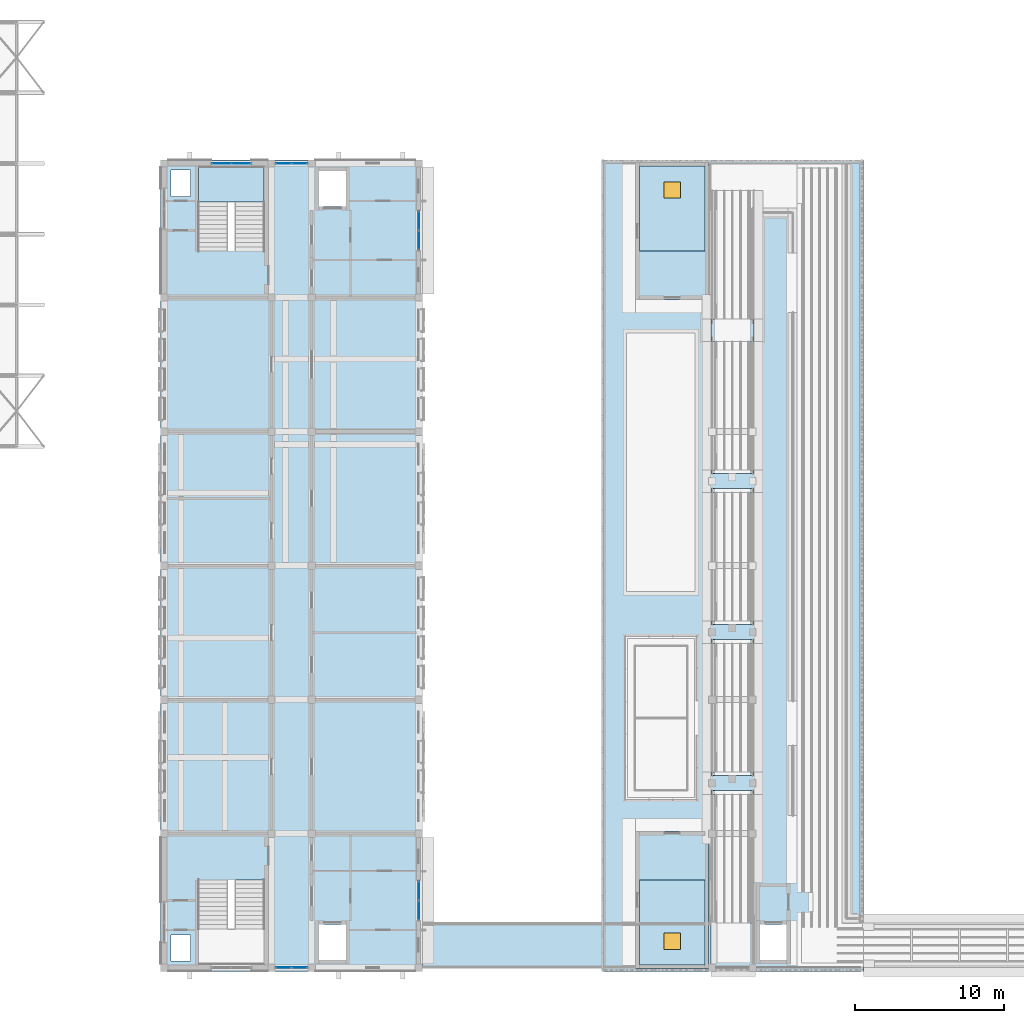
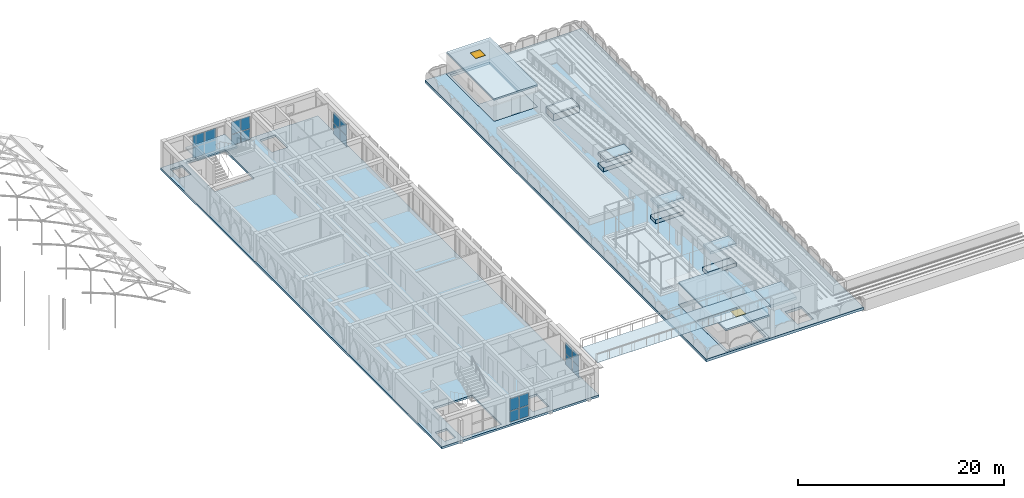
# One storey, part 27 of 50: 20 plates, 16 slabs, 2 windows, 2 openings, 7 elements without a shape of their own.
"""IFC4 building model written with IfcOpenShell, lengths in metres."""

from ifc_helpers import new_model, si_unit, direction, frame, origin, origin_2d, place, context, subcontext, project, spatial, polyline, rectangle, outline, extrude, material, layer, layer_set, type_object, element, fill, aggregate, save


model = new_model("IFC4")

# Units and contexts
model_context = context("Model", 3, precision=1e-05, world=origin(), true_north=direction((0.0, 1.0)))
body_context = subcontext(model_context, "Body", "Model", "MODEL_VIEW")
ifc_project = project(units=[si_unit("LENGTHUNIT", "METRE"), si_unit("AREAUNIT", "SQUARE_METRE"), si_unit("VOLUMEUNIT", "CUBIC_METRE"), si_unit("PLANEANGLEUNIT", "RADIAN"), si_unit("MASSUNIT", "GRAM", prefix="KILO")], contexts=[model_context])

# Site, building, storey
site_placement = place(None, origin())
site = spatial("IfcSite", under=ifc_project, at=site_placement, CompositionType="ELEMENT")
building_placement = place(site_placement, origin())
building = spatial("IfcBuilding", under=site, at=building_placement, Name="Elbe Cascade School", CompositionType="ELEMENT")
storey_placement = place(building_placement, frame((0.0, 0.0, 15.300048828125)))
storey = spatial("IfcBuildingStorey", under=building, at=storey_placement, Name="L04", CompositionType="ELEMENT", Elevation=15.300048828125)

# Stair, slab
ifc_material_1 = material(Name="Concrete C30/37", Category="concrete")
stair_type = type_object("IfcStairType", Name="Bar stair RC 150", PredefinedType="HALF_TURN_STAIR", material=ifc_material_1)
stair_placement = place(storey_placement, origin())
stair = element("IfcStair", 1, at=stair_placement, inside=storey, type_object=stair_type, Name="Stair A4.N", PredefinedType="HALF_TURN_STAIR")
ifc_material_2 = material(Name="Concrete C30/37", Category="concrete")
ifc_layer_1 = layer(ifc_material_2, 0.199951171875)
ifc_layer_set_1 = layer_set([ifc_layer_1], Name="Concrete C30/37")
slab_type_1 = type_object("IfcSlabType", Name="Bar stair landing RC 200", PredefinedType="LANDING", material=ifc_layer_set_1)
slab_1_placement = place(storey_placement, frame((0.0, 0.0, 1.599853515625)))
slab_1 = element("IfcSlab", 2, at=slab_1_placement, type_object=slab_type_1, Name="ST3 landing 1", PredefinedType="LANDING", context=body_context, shape_type="SweptSolid", body=[
    extrude(outline(polyline([(71.300048828125, 57.39990234375), (75.699951171875, 57.39990234375), (75.699951171875, 59.820068359375), (71.300048828125, 59.820068359375), (71.300048828125, 57.39990234375)])), origin(), (0.0, 0.0, 1.0), 0.2001953125),
])
aggregate(stair, [slab_1])

# Curtain wall, plates
ifc_material_3 = material(Name="Aluminium frame with double glazing, bronze anodised", Category="aluminium")
ifc_layer_2 = layer(ifc_material_3, 0.159912109375)
ifc_layer_set_2 = layer_set([ifc_layer_2], Name="Aluminium frame with double glazing, bronze anodised")
curtain_wall_type = type_object("IfcCurtainWallType", Name="Bars envelope Curtain wall, aluminium, bronze anodised, storey-high slot", PredefinedType="NOTDEFINED", material=ifc_layer_set_2)
curtain_wall_1_placement = place(storey_placement, origin())
curtain_wall_1 = element("IfcCurtainWall", 3, at=curtain_wall_1_placement, inside=storey, type_object=curtain_wall_type, Name="Curtain wall CW4 A.L04.e1", PredefinedType="NOTDEFINED")
ifc_material_4 = material(Name="Glass - double glazed low-E", Category="glass")
ifc_layer_3 = layer(ifc_material_4, 0.028076171875)
ifc_layer_set_3 = layer_set([ifc_layer_3], Name="Glass - double glazed low-E")
plate_type = type_object("IfcPlateType", Name="Bars envelope Curtain wall glazing panel 28 mm, double glazed, storey-high slot", PredefinedType="CURTAIN_PANEL", material=ifc_layer_set_3)
plate_1_placement = place(storey_placement, frame((86.10009765625, 11.159912109375, 0.06005859375), z_axis=(0.0, 0.0, 1.0), x_axis=(0.0, -1.0, 0.0)))
plate_1 = element("IfcPlate", 4, at=plate_1_placement, type_object=plate_type, Name="CW4 panel 1.1", PredefinedType="CURTAIN_PANEL", context=body_context, shape_type="SweptSolid", body=[
    extrude(rectangle(XDim=1.260009765625, YDim=0.028076171875, at=origin_2d()), origin(), (0.0, 0.0, 1.0), 1.260009765625),
])
plate_2_placement = place(storey_placement, frame((86.10009765625, 11.159912109375, 1.3798828125), z_axis=(0.0, 0.0, 1.0), x_axis=(0.0, -1.0, 0.0)))
plate_2 = element("IfcPlate", 5, at=plate_2_placement, type_object=plate_type, Name="CW4 panel 1.2", PredefinedType="CURTAIN_PANEL", context=body_context, shape_type="SweptSolid", body=[
    extrude(rectangle(XDim=1.260009765625, YDim=0.028076171875, at=origin_2d()), origin(), (0.0, 0.0, 1.0), 1.31005859375),
])
plate_3_placement = place(storey_placement, frame((86.10009765625, 9.840087890625, 0.06005859375), z_axis=(0.0, 0.0, 1.0), x_axis=(0.0, -1.0, 0.0)))
plate_3 = element("IfcPlate", 6, at=plate_3_placement, type_object=plate_type, Name="CW4 panel 2.1", PredefinedType="CURTAIN_PANEL", context=body_context, shape_type="SweptSolid", body=[
    extrude(rectangle(XDim=1.260009765625, YDim=0.028076171875, at=origin_2d()), origin(), (0.0, 0.0, 1.0), 1.260009765625),
])
plate_4_placement = place(storey_placement, frame((86.10009765625, 9.840087890625, 1.3798828125), z_axis=(0.0, 0.0, 1.0), x_axis=(0.0, -1.0, 0.0)))
plate_4 = element("IfcPlate", 7, at=plate_4_placement, type_object=plate_type, Name="CW4 panel 2.2", PredefinedType="CURTAIN_PANEL", context=body_context, shape_type="SweptSolid", body=[
    extrude(rectangle(XDim=1.260009765625, YDim=0.028076171875, at=origin_2d()), origin(), (0.0, 0.0, 1.0), 1.31005859375),
])
aggregate(curtain_wall_1, [plate_1, plate_2, plate_3, plate_4])

curtain_wall_2_placement = place(storey_placement, origin())
curtain_wall_2 = element("IfcCurtainWall", 8, at=curtain_wall_2_placement, inside=storey, type_object=curtain_wall_type, Name="Curtain wall CW4 A.L04.e6", PredefinedType="NOTDEFINED")
plate_5_placement = place(storey_placement, frame((86.10009765625, 56.159912109375, 0.06005859375), z_axis=(0.0, 0.0, 1.0), x_axis=(0.0, -1.0, 0.0)))
plate_5 = element("IfcPlate", 9, at=plate_5_placement, type_object=plate_type, Name="CW4 panel 1.1", PredefinedType="CURTAIN_PANEL", context=body_context, shape_type="SweptSolid", body=[
    extrude(rectangle(XDim=1.260009765625, YDim=0.028076171875, at=origin_2d()), origin(), (0.0, 0.0, 1.0), 1.260009765625),
])
plate_6_placement = place(storey_placement, frame((86.10009765625, 56.159912109375, 1.3798828125), z_axis=(0.0, 0.0, 1.0), x_axis=(0.0, -1.0, 0.0)))
plate_6 = element("IfcPlate", 10, at=plate_6_placement, type_object=plate_type, Name="CW4 panel 1.2", PredefinedType="CURTAIN_PANEL", context=body_context, shape_type="SweptSolid", body=[
    extrude(rectangle(XDim=1.260009765625, YDim=0.028076171875, at=origin_2d()), origin(), (0.0, 0.0, 1.0), 1.31005859375),
])
plate_7_placement = place(storey_placement, frame((86.10009765625, 54.840087890625, 0.06005859375), z_axis=(0.0, 0.0, 1.0), x_axis=(0.0, -1.0, 0.0)))
plate_7 = element("IfcPlate", 11, at=plate_7_placement, type_object=plate_type, Name="CW4 panel 2.1", PredefinedType="CURTAIN_PANEL", context=body_context, shape_type="SweptSolid", body=[
    extrude(rectangle(XDim=1.260009765625, YDim=0.028076171875, at=origin_2d()), origin(), (0.0, 0.0, 1.0), 1.260009765625),
])
plate_8_placement = place(storey_placement, frame((86.10009765625, 54.840087890625, 1.3798828125), z_axis=(0.0, 0.0, 1.0), x_axis=(0.0, -1.0, 0.0)))
plate_8 = element("IfcPlate", 12, at=plate_8_placement, type_object=plate_type, Name="CW4 panel 2.2", PredefinedType="CURTAIN_PANEL", context=body_context, shape_type="SweptSolid", body=[
    extrude(rectangle(XDim=1.260009765625, YDim=0.028076171875, at=origin_2d()), origin(), (0.0, 0.0, 1.0), 1.31005859375),
])
aggregate(curtain_wall_2, [plate_5, plate_6, plate_7, plate_8])

curtain_wall_3_placement = place(storey_placement, origin())
curtain_wall_3 = element("IfcCurtainWall", 13, at=curtain_wall_3_placement, inside=storey, type_object=curtain_wall_type, Name="Curtain wall CW4 A.L04.s2", PredefinedType="NOTDEFINED")
plate_9_placement = place(storey_placement, frame((78.0849609375, 6.0, 0.06005859375), z_axis=(0.0, 0.0, 1.0), x_axis=(-1.0, 0.0, 0.0)))
plate_9 = element("IfcPlate", 14, at=plate_9_placement, type_object=plate_type, Name="CW4 panel 1.1", PredefinedType="CURTAIN_PANEL", context=body_context, shape_type="SweptSolid", body=[
    extrude(rectangle(XDim=1.010009765625, YDim=0.028076171875, at=origin_2d()), origin(), (0.0, 0.0, 1.0), 1.260009765625),
])
plate_10_placement = place(storey_placement, frame((78.0849609375, 6.0, 1.3798828125), z_axis=(0.0, 0.0, 1.0), x_axis=(-1.0, 0.0, 0.0)))
plate_10 = element("IfcPlate", 15, at=plate_10_placement, type_object=plate_type, Name="CW4 panel 1.2", PredefinedType="CURTAIN_PANEL", context=body_context, shape_type="SweptSolid", body=[
    extrude(rectangle(XDim=1.010009765625, YDim=0.028076171875, at=origin_2d()), origin(), (0.0, 0.0, 1.0), 1.4599609375),
])
plate_11_placement = place(storey_placement, frame((77.014892578125, 6.0, 0.06005859375), z_axis=(0.0, 0.0, 1.0), x_axis=(-1.0, 0.0, 0.0)))
plate_11 = element("IfcPlate", 16, at=plate_11_placement, type_object=plate_type, Name="CW4 panel 2.1", PredefinedType="CURTAIN_PANEL", context=body_context, shape_type="SweptSolid", body=[
    extrude(rectangle(XDim=1.010009765625, YDim=0.028076171875, at=origin_2d()), origin(), (0.0, 0.0, 1.0), 1.260009765625),
])
plate_12_placement = place(storey_placement, frame((77.014892578125, 6.0, 1.3798828125), z_axis=(0.0, 0.0, 1.0), x_axis=(-1.0, 0.0, 0.0)))
plate_12 = element("IfcPlate", 17, at=plate_12_placement, type_object=plate_type, Name="CW4 panel 2.2", PredefinedType="CURTAIN_PANEL", context=body_context, shape_type="SweptSolid", body=[
    extrude(rectangle(XDim=1.010009765625, YDim=0.028076171875, at=origin_2d()), origin(), (0.0, 0.0, 1.0), 1.4599609375),
])
aggregate(curtain_wall_3, [plate_9, plate_10, plate_11, plate_12])

curtain_wall_4_placement = place(storey_placement, origin())
curtain_wall_4 = element("IfcCurtainWall", 18, at=curtain_wall_4_placement, inside=storey, type_object=curtain_wall_type, Name="Curtain wall CW4 A.L04.n1", PredefinedType="NOTDEFINED")
plate_13_placement = place(storey_placement, frame((72.840087890625, 60.0, 0.06005859375), z_axis=(0.0, 0.0, 1.0), x_axis=(1.0, 0.0, 0.0)))
plate_13 = element("IfcPlate", 19, at=plate_13_placement, type_object=plate_type, Name="CW4 panel 1.1", PredefinedType="CURTAIN_PANEL", context=body_context, shape_type="SweptSolid", body=[
    extrude(rectangle(XDim=1.260009765625, YDim=0.028076171875, at=origin_2d()), origin(), (0.0, 0.0, 1.0), 1.260009765625),
])
plate_14_placement = place(storey_placement, frame((72.840087890625, 60.0, 1.3798828125), z_axis=(0.0, 0.0, 1.0), x_axis=(1.0, 0.0, 0.0)))
plate_14 = element("IfcPlate", 20, at=plate_14_placement, type_object=plate_type, Name="CW4 panel 1.2", PredefinedType="CURTAIN_PANEL", context=body_context, shape_type="SweptSolid", body=[
    extrude(rectangle(XDim=1.260009765625, YDim=0.028076171875, at=origin_2d()), origin(), (0.0, 0.0, 1.0), 1.360107421875),
])
plate_15_placement = place(storey_placement, frame((74.159912109375, 60.0, 0.06005859375), z_axis=(0.0, 0.0, 1.0), x_axis=(1.0, 0.0, 0.0)))
plate_15 = element("IfcPlate", 21, at=plate_15_placement, type_object=plate_type, Name="CW4 panel 2.1", PredefinedType="CURTAIN_PANEL", context=body_context, shape_type="SweptSolid", body=[
    extrude(rectangle(XDim=1.260009765625, YDim=0.028076171875, at=origin_2d()), origin(), (0.0, 0.0, 1.0), 1.260009765625),
])
plate_16_placement = place(storey_placement, frame((74.159912109375, 60.0, 1.3798828125), z_axis=(0.0, 0.0, 1.0), x_axis=(1.0, 0.0, 0.0)))
plate_16 = element("IfcPlate", 22, at=plate_16_placement, type_object=plate_type, Name="CW4 panel 2.2", PredefinedType="CURTAIN_PANEL", context=body_context, shape_type="SweptSolid", body=[
    extrude(rectangle(XDim=1.260009765625, YDim=0.028076171875, at=origin_2d()), origin(), (0.0, 0.0, 1.0), 1.360107421875),
])
aggregate(curtain_wall_4, [plate_13, plate_14, plate_15, plate_16])

curtain_wall_5_placement = place(storey_placement, origin())
curtain_wall_5 = element("IfcCurtainWall", 23, at=curtain_wall_5_placement, inside=storey, type_object=curtain_wall_type, Name="Curtain wall CW4 A.L04.n2", PredefinedType="NOTDEFINED")
plate_17_placement = place(storey_placement, frame((77.014892578125, 60.0, 0.06005859375), z_axis=(0.0, 0.0, 1.0), x_axis=(1.0, 0.0, 0.0)))
plate_17 = element("IfcPlate", 24, at=plate_17_placement, type_object=plate_type, Name="CW4 panel 1.1", PredefinedType="CURTAIN_PANEL", context=body_context, shape_type="SweptSolid", body=[
    extrude(rectangle(XDim=1.010009765625, YDim=0.028076171875, at=origin_2d()), origin(), (0.0, 0.0, 1.0), 1.260009765625),
])
plate_18_placement = place(storey_placement, frame((77.014892578125, 60.0, 1.3798828125), z_axis=(0.0, 0.0, 1.0), x_axis=(1.0, 0.0, 0.0)))
plate_18 = element("IfcPlate", 25, at=plate_18_placement, type_object=plate_type, Name="CW4 panel 1.2", PredefinedType="CURTAIN_PANEL", context=body_context, shape_type="SweptSolid", body=[
    extrude(rectangle(XDim=1.010009765625, YDim=0.028076171875, at=origin_2d()), origin(), (0.0, 0.0, 1.0), 1.4599609375),
])
plate_19_placement = place(storey_placement, frame((78.0849609375, 60.0, 0.06005859375), z_axis=(0.0, 0.0, 1.0), x_axis=(1.0, 0.0, 0.0)))
plate_19 = element("IfcPlate", 26, at=plate_19_placement, type_object=plate_type, Name="CW4 panel 2.1", PredefinedType="CURTAIN_PANEL", context=body_context, shape_type="SweptSolid", body=[
    extrude(rectangle(XDim=1.010009765625, YDim=0.028076171875, at=origin_2d()), origin(), (0.0, 0.0, 1.0), 1.260009765625),
])
plate_20_placement = place(storey_placement, frame((78.0849609375, 60.0, 1.3798828125), z_axis=(0.0, 0.0, 1.0), x_axis=(1.0, 0.0, 0.0)))
plate_20 = element("IfcPlate", 27, at=plate_20_placement, type_object=plate_type, Name="CW4 panel 2.2", PredefinedType="CURTAIN_PANEL", context=body_context, shape_type="SweptSolid", body=[
    extrude(rectangle(XDim=1.010009765625, YDim=0.028076171875, at=origin_2d()), origin(), (0.0, 0.0, 1.0), 1.4599609375),
])
aggregate(curtain_wall_5, [plate_17, plate_18, plate_19, plate_20])

# Slabs
ifc_material_5 = material(Name="Concrete C30/37", Category="concrete")
ifc_layer_4 = layer(ifc_material_5, 0.25)
ifc_layer_set_4 = layer_set([ifc_layer_4], Name="Concrete C30/37")
slab_type_2 = type_object("IfcSlabType", Name="Floor slab 250", PredefinedType="FLOOR", material=ifc_layer_set_4)
slab_2_placement = place(storey_placement, frame((0.0, 0.0, -0.25)))
element("IfcSlab", 28, at=slab_2_placement, inside=storey, type_object=slab_type_2, Name="Floor slab 250 S2", PredefinedType="FLOOR", context=body_context, shape_type="SweptSolid", body=[
    extrude(outline(polyline([(68.75, 5.75), (86.35009765625, 5.75), (86.35009765625, 60.25), (68.75, 60.25), (68.75, 5.75)]), holes=[polyline([(71.300048828125, 6.179931640625), (75.699951171875, 6.179931640625), (75.699951171875, 11.8798828125), (71.300048828125, 11.8798828125), (71.300048828125, 6.179931640625)]), polyline([(79.39990234375, 6.5), (81.199951171875, 6.5), (81.199951171875, 8.89990234375), (79.39990234375, 8.89990234375), (79.39990234375, 6.5)]), polyline([(71.300048828125, 54.1201171875), (75.699951171875, 54.1201171875), (75.699951171875, 59.820068359375), (71.300048828125, 59.820068359375), (71.300048828125, 54.1201171875)]), polyline([(79.39990234375, 57.10009765625), (81.199951171875, 57.10009765625), (81.199951171875, 59.5), (79.39990234375, 59.5), (79.39990234375, 57.10009765625)]), polyline([(69.449951171875, 6.449951171875), (70.75, 6.449951171875), (70.75, 8.199951171875), (69.449951171875, 8.199951171875), (69.449951171875, 6.449951171875)]), polyline([(69.449951171875, 57.800048828125), (70.75, 57.800048828125), (70.75, 59.550048828125), (69.449951171875, 59.550048828125), (69.449951171875, 57.800048828125)])]), origin(), (0.0, 0.0, 1.0), 0.25),
])
ifc_material_6 = material(Name="Concrete C30/37", Category="concrete")
ifc_layer_5 = layer(ifc_material_6, 0.300048828125)
ifc_layer_set_5 = layer_set([ifc_layer_5], Name="Concrete C30/37")
slab_type_3 = type_object("IfcSlabType", Name="Head-house floor slab 300", PredefinedType="FLOOR", material=ifc_layer_set_5)
slab_3_placement = place(storey_placement, frame((0.0, 0.0, -0.300048828125)))
element("IfcSlab", 29, at=slab_3_placement, inside=storey, type_object=slab_type_3, Name="Head-house floor slab 300 S7", PredefinedType="FLOOR", context=body_context, shape_type="SweptSolid", body=[
    extrude(outline(polyline([(100.64990234375, 5.929931640625), (105.550048828125, 5.929931640625), (105.550048828125, 15.125), (100.64990234375, 15.125), (100.64990234375, 5.929931640625)]), holes=[polyline([(100.89990234375, 6.179931640625), (105.300048828125, 6.179931640625), (105.300048828125, 11.8798828125), (100.89990234375, 11.8798828125), (100.89990234375, 6.179931640625)])]), origin(), (0.0, 0.0, 1.0), 0.300048828125),
])
slab_4_placement = place(storey_placement, frame((0.0, 0.0, -0.300048828125)))
element("IfcSlab", 30, at=slab_4_placement, inside=storey, type_object=slab_type_3, Name="Head-house floor slab 300 S7", PredefinedType="FLOOR", context=body_context, shape_type="SweptSolid", body=[
    extrude(outline(polyline([(100.64990234375, 50.875), (105.550048828125, 50.875), (105.550048828125, 60.070068359375), (100.64990234375, 60.070068359375), (100.64990234375, 50.875)]), holes=[polyline([(100.89990234375, 54.1201171875), (105.300048828125, 54.1201171875), (105.300048828125, 59.820068359375), (100.89990234375, 59.820068359375), (100.89990234375, 54.1201171875)])]), origin(), (0.0, 0.0, 1.0), 0.300048828125),
])
ifc_material_7 = material(Name="Concrete C30/37", Category="concrete")
ifc_layer_6 = layer(ifc_material_7, 0.449951171875)
ifc_layer_set_6 = layer_set([ifc_layer_6], Name="Concrete C30/37")
slab_type_4 = type_object("IfcSlabType", Name="RC roof plinth 450", PredefinedType="FLOOR", material=ifc_layer_set_6)
slab_5_placement = place(storey_placement, origin())
element("IfcSlab", 31, at=slab_5_placement, inside=storey, type_object=slab_type_4, Name="Roof ramp B plinth 1", PredefinedType="FLOOR", context=body_context, shape_type="SweptSolid", body=[
    extrude(outline(polyline([(105.550048828125, 17.889892578125), (108.75, 17.889892578125), (108.75, 18.889892578125), (105.550048828125, 18.889892578125), (105.550048828125, 17.889892578125)])), origin(), (0.0, 0.0, 1.0), 0.449951171875),
])
slab_6_placement = place(storey_placement, origin())
element("IfcSlab", 32, at=slab_6_placement, inside=storey, type_object=slab_type_4, Name="Roof ramp B plinth 2", PredefinedType="FLOOR", context=body_context, shape_type="SweptSolid", body=[
    extrude(outline(polyline([(105.550048828125, 28.030029296875), (108.75, 28.030029296875), (108.75, 29.030029296875), (105.550048828125, 29.030029296875), (105.550048828125, 28.030029296875)])), origin(), (0.0, 0.0, 1.0), 0.449951171875),
])
slab_7_placement = place(storey_placement, origin())
element("IfcSlab", 33, at=slab_7_placement, inside=storey, type_object=slab_type_4, Name="Roof ramp B plinth 3", PredefinedType="FLOOR", context=body_context, shape_type="SweptSolid", body=[
    extrude(outline(polyline([(105.550048828125, 38.169921875), (108.75, 38.169921875), (108.75, 39.169921875), (105.550048828125, 39.169921875), (105.550048828125, 38.169921875)])), origin(), (0.0, 0.0, 1.0), 0.449951171875),
])
ifc_material_8 = material(Name="Concrete C30/37", Category="concrete")
ifc_layer_7 = layer(ifc_material_8, 0.300048828125)
ifc_layer_set_7 = layer_set([ifc_layer_7], Name="Concrete C30/37")
slab_type_5 = type_object("IfcSlabType", Name="Roof deck slab 300", PredefinedType="ROOF", material=ifc_layer_set_7)
slab_8_placement = place(storey_placement, frame((0.0, 0.0, -0.300048828125)))
element("IfcSlab", 34, at=slab_8_placement, inside=storey, type_object=slab_type_5, Name="Roof deck slab 300 S3", PredefinedType="ROOF", context=body_context, shape_type="SweptSolid", body=[
    extrude(outline(polyline([(98.35009765625, 5.75), (115.949951171875, 5.75), (115.949951171875, 60.25), (98.35009765625, 60.25), (98.35009765625, 5.75)]), holes=[polyline([(100.64990234375, 5.929931640625), (105.550048828125, 5.929931640625), (105.550048828125, 15.125), (100.64990234375, 15.125), (100.64990234375, 5.929931640625)]), polyline([(109.0, 6.5), (110.800048828125, 6.5), (110.800048828125, 8.89990234375), (109.0, 8.89990234375), (109.0, 6.5)]), polyline([(100.64990234375, 50.875), (105.550048828125, 50.875), (105.550048828125, 60.070068359375), (100.64990234375, 60.070068359375), (100.64990234375, 50.875)])]), origin(), (0.0, 0.0, 1.0), 0.300048828125),
])

# Ramp, slabs
ifc_material_9 = material(Name="Concrete C30/37", Category="concrete")
ramp_type = type_object("IfcRampType", Name="Roof ramp", PredefinedType="STRAIGHT_RUN_RAMP", material=ifc_material_9)
ramp_placement = place(storey_placement, origin())
ramp = element("IfcRamp", 35, at=ramp_placement, inside=storey, type_object=ramp_type, Name="Roof ramp B", PredefinedType="STRAIGHT_RUN_RAMP")
ifc_material_10 = material(Name="Concrete C30/37", Category="concrete")
ifc_layer_8 = layer(ifc_material_10, 0.300048828125)
ifc_layer_set_8 = layer_set([ifc_layer_8], Name="Concrete C30/37")
slab_type_6 = type_object("IfcSlabType", Name="Roof ramp landing 300", PredefinedType="LANDING", material=ifc_layer_set_8)
slab_9_placement = place(storey_placement, frame((0.0, 0.0, 3.35986328125)))
slab_9 = element("IfcSlab", 36, at=slab_9_placement, type_object=slab_type_6, Name="Roof ramp B landing 1", PredefinedType="LANDING", context=body_context, shape_type="SweptSolid", body=[
    extrude(outline(polyline([(108.60009765625, 6.0), (108.60009765625, 9.0), (105.699951171875, 9.0), (105.699951171875, 6.0), (108.60009765625, 6.0)])), origin(), (0.0, 0.0, 1.0), 0.300048828125),
])
slab_10_placement = place(storey_placement, frame((0.0, 0.0, 2.639892578125)))
slab_10 = element("IfcSlab", 37, at=slab_10_placement, type_object=slab_type_6, Name="Roof ramp B landing 2", PredefinedType="LANDING", context=body_context, shape_type="SweptSolid", body=[
    extrude(outline(polyline([(108.60009765625, 17.639892578125), (108.60009765625, 19.139892578125), (105.699951171875, 19.139892578125), (105.699951171875, 17.639892578125), (108.60009765625, 17.639892578125)])), origin(), (0.0, 0.0, 1.0), 0.300048828125),
])
slab_11_placement = place(storey_placement, frame((0.0, 0.0, 1.919921875)))
slab_11 = element("IfcSlab", 38, at=slab_11_placement, type_object=slab_type_6, Name="Roof ramp B landing 3", PredefinedType="LANDING", context=body_context, shape_type="SweptSolid", body=[
    extrude(outline(polyline([(108.60009765625, 27.780029296875), (108.60009765625, 29.280029296875), (105.699951171875, 29.280029296875), (105.699951171875, 27.780029296875), (108.60009765625, 27.780029296875)])), origin(), (0.0, 0.0, 1.0), 0.300048828125),
])
slab_12_placement = place(storey_placement, frame((0.0, 0.0, 1.199951171875)))
slab_12 = element("IfcSlab", 39, at=slab_12_placement, type_object=slab_type_6, Name="Roof ramp B landing 4", PredefinedType="LANDING", context=body_context, shape_type="SweptSolid", body=[
    extrude(outline(polyline([(108.60009765625, 37.919921875), (108.60009765625, 39.419921875), (105.699951171875, 39.419921875), (105.699951171875, 37.919921875), (108.60009765625, 37.919921875)])), origin(), (0.0, 0.0, 1.0), 0.300048828125),
])
ifc_material_11 = material(Name="Concrete C30/37", Category="concrete")
ifc_layer_9 = layer(ifc_material_11, 0.780029296875)
ifc_layer_set_9 = layer_set([ifc_layer_9], Name="Concrete C30/37")
slab_type_7 = type_object("IfcSlabType", Name="Roof ramp landing on deck 780", PredefinedType="LANDING", material=ifc_layer_set_9)
slab_13_placement = place(storey_placement, origin())
slab_13 = element("IfcSlab", 40, at=slab_13_placement, type_object=slab_type_7, Name="Roof ramp B landing 5", PredefinedType="LANDING", context=body_context, shape_type="SweptSolid", body=[
    extrude(outline(polyline([(108.60009765625, 48.06005859375), (108.60009765625, 49.56005859375), (105.699951171875, 49.56005859375), (105.699951171875, 48.06005859375), (108.60009765625, 48.06005859375)])), origin(), (0.0, 0.0, 1.0), 0.780029296875),
])

# Slab, opening, window
ifc_material_12 = material(Name="Concrete C30/37", Category="concrete")
ifc_layer_10 = layer(ifc_material_12, 0.199951171875)
ifc_layer_set_10 = layer_set([ifc_layer_10], Name="Concrete C30/37")
slab_type_8 = type_object("IfcSlabType", Name="Roof slab 200", PredefinedType="ROOF", material=ifc_layer_set_10)
slab_14_placement = place(storey_placement, frame((0.0, 0.0, 2.449951171875)))
slab_14 = element("IfcSlab", 41, at=slab_14_placement, inside=storey, type_object=slab_type_8, Name="Roof slab 200 S4", PredefinedType="ROOF", context=body_context, shape_type="SweptSolid", body=[
    extrude(outline(polyline([(100.64990234375, 5.929931640625), (105.550048828125, 5.929931640625), (105.550048828125, 15.125), (100.64990234375, 15.125), (100.64990234375, 5.929931640625)])), origin(), (0.0, 0.0, 1.0), 0.199951171875),
])
opening_1_placement = place(slab_14_placement, frame((103.10009765625, 7.780029296875, 0.0)))
opening_1 = element("IfcOpeningElement", 42, at=opening_1_placement, cuts=slab_14, Name="Opening W4.040", PredefinedType="OPENING", context=body_context, shape_type="SweptSolid", body=[
    extrude(rectangle(XDim=1.10009765625, YDim=1.10009765625, at=origin_2d()), origin(), (0.0, 0.0, 1.0), 0.199951171875),
])
ifc_material_13 = material(Name="Aluminium frame with smoke-vent flap, bronze anodised", Category="aluminium")
window_type = type_object("IfcWindowType", Name="Stair smoke vent 1100x1100", PartitioningType="SINGLE_PANEL", PredefinedType="SKYLIGHT", material=ifc_material_13)
window_1_placement = place(opening_1_placement, frame((0.0, 0.0, 0.14990234375)))
window_1 = element("IfcWindow", 43, at=window_1_placement, inside=storey, type_object=window_type, Name="Stair smoke vent 1100x1100 W4.040", OverallHeight=1.10009765625, OverallWidth=1.10009765625, PartitioningType="SINGLE_PANEL", PredefinedType="SKYLIGHT", context=body_context, shape_type="SweptSolid", body=[
    extrude(rectangle(XDim=1.10009765625, YDim=1.10009765625, at=origin_2d()), origin(), (0.0, 0.0, 1.0), 0.050048828125),
])
fill(opening_1, window_1)

slab_15_placement = place(storey_placement, frame((0.0, 0.0, 2.449951171875)))
slab_15 = element("IfcSlab", 44, at=slab_15_placement, inside=storey, type_object=slab_type_8, Name="Roof slab 200 S4", PredefinedType="ROOF", context=body_context, shape_type="SweptSolid", body=[
    extrude(outline(polyline([(100.64990234375, 50.875), (105.550048828125, 50.875), (105.550048828125, 60.070068359375), (100.64990234375, 60.070068359375), (100.64990234375, 50.875)])), origin(), (0.0, 0.0, 1.0), 0.199951171875),
])
opening_2_placement = place(slab_15_placement, frame((103.10009765625, 58.219970703125, 0.0)))
opening_2 = element("IfcOpeningElement", 45, at=opening_2_placement, cuts=slab_15, Name="Opening W4.039", PredefinedType="OPENING", context=body_context, shape_type="SweptSolid", body=[
    extrude(rectangle(XDim=1.10009765625, YDim=1.10009765625, at=origin_2d()), origin(), (0.0, 0.0, 1.0), 0.199951171875),
])
window_2_placement = place(opening_2_placement, frame((0.0, 0.0, 0.14990234375)))
window_2 = element("IfcWindow", 46, at=window_2_placement, inside=storey, type_object=window_type, Name="Stair smoke vent 1100x1100 W4.039", OverallHeight=1.10009765625, OverallWidth=1.10009765625, PartitioningType="SINGLE_PANEL", PredefinedType="SKYLIGHT", context=body_context, shape_type="SweptSolid", body=[
    extrude(rectangle(XDim=1.10009765625, YDim=1.10009765625, at=origin_2d()), origin(), (0.0, 0.0, 1.0), 0.050048828125),
])
fill(opening_2, window_2)

# Slab
ifc_material_14 = material(Name="Steel S355J2", Category="steel")
ifc_layer_11 = layer(ifc_material_14, 0.02001953125)
ifc_layer_set_11 = layer_set([ifc_layer_11], Name="Steel S355J2")
slab_type_9 = type_object("IfcSlabType", Name="Steel bridge deck plate 20", PredefinedType="LANDING", material=ifc_layer_set_11)
slab_16_placement = place(storey_placement, frame((0.0, 0.0, 3.639892578125)))
slab_16 = element("IfcSlab", 47, at=slab_16_placement, type_object=slab_type_9, Name="Bridge A-B deck plate", PredefinedType="LANDING", context=body_context, shape_type="SweptSolid", body=[
    extrude(outline(polyline([(86.35009765625, 6.0), (105.699951171875, 6.0), (105.699951171875, 9.0), (86.35009765625, 9.0), (86.35009765625, 6.0)])), origin(), (0.0, 0.0, 1.0), 0.02001953125),
])

aggregate(ramp, [slab_9, slab_10, slab_11, slab_12, slab_13, slab_16])

save(model, "model.ifc")
